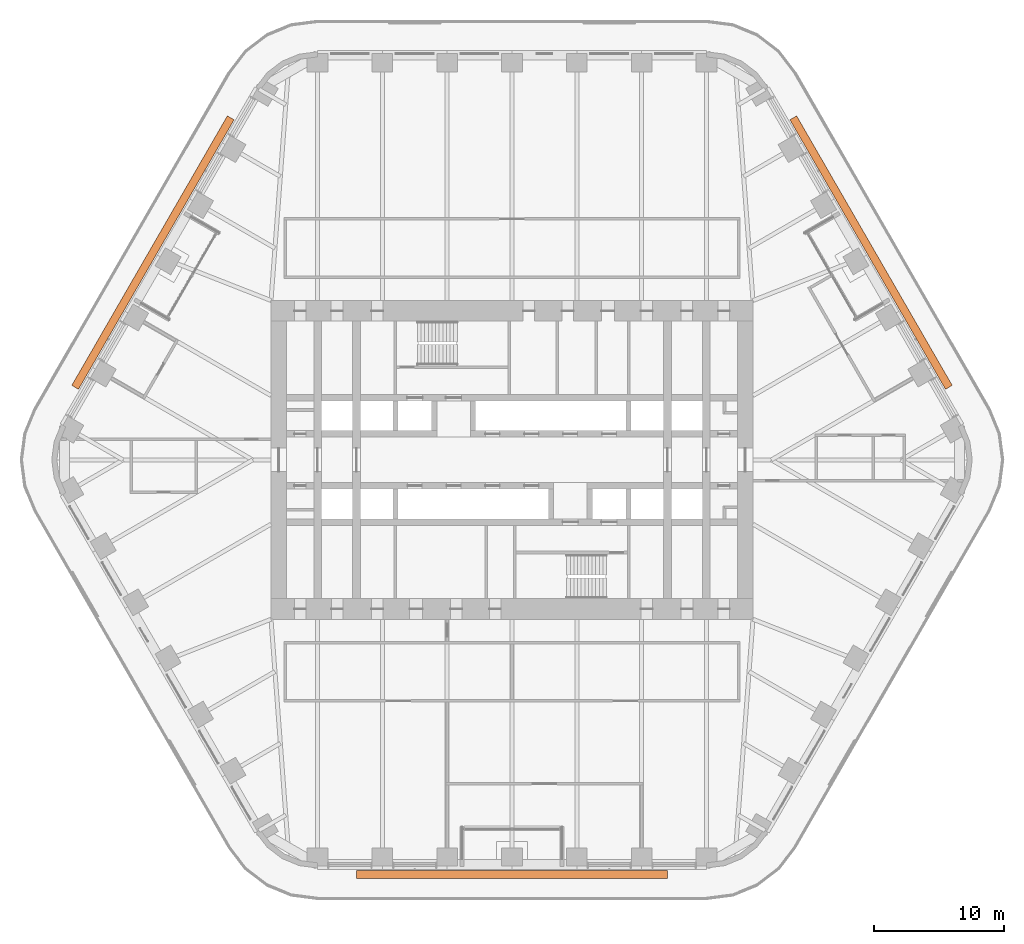
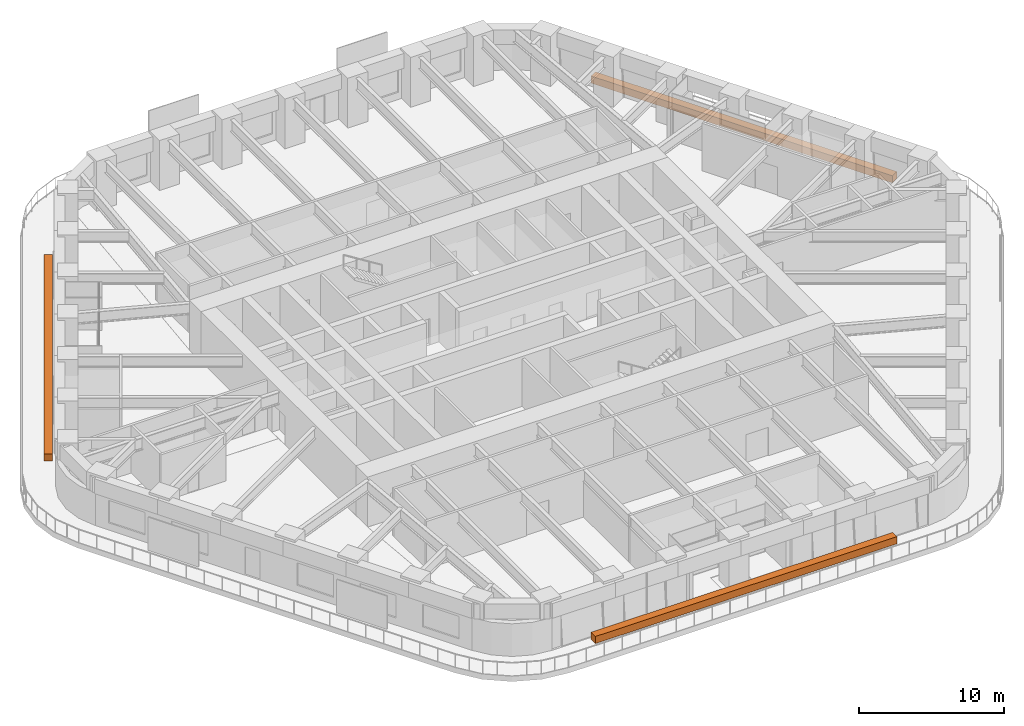
# One storey, part 24 of 24: 3 proxies.
"""IFC4 building model written with IfcOpenShell, lengths in metres."""

from ifc_helpers import new_model, si_unit, direction, frame, origin, origin_2d, place, context, subcontext, project, spatial, rectangle, extrude, material, element, save


model = new_model("IFC4")

# Units and contexts
model_context = context("Model", 3, precision=1e-05, world=origin(), true_north=direction((0.0, 1.0)))
body_context = subcontext(model_context, "Body", "Model", "MODEL_VIEW")
ifc_project = project(units=[si_unit("LENGTHUNIT", "METRE"), si_unit("AREAUNIT", "SQUARE_METRE"), si_unit("VOLUMEUNIT", "CUBIC_METRE"), si_unit("PLANEANGLEUNIT", "RADIAN"), si_unit("MASSUNIT", "GRAM", prefix="KILO")], contexts=[model_context])

# Site, building, storey
site_placement = place(None, origin())
site = spatial("IfcSite", under=ifc_project, at=site_placement, CompositionType="ELEMENT")
building_placement = place(site_placement, origin())
building = spatial("IfcBuilding", under=site, at=building_placement, Name="Tarfa Lantern Tower", CompositionType="ELEMENT")
storey_placement = place(building_placement, frame((0.0, 0.0, 178.300048828125)))
storey = spatial("IfcBuildingStorey", under=building, at=storey_placement, Name="L40", CompositionType="ELEMENT", Elevation=178.300048828125)

# Proxies
ifc_material = material(Name="Planting bed")
for number, where, z_axis, x_axis, name in (
    (1, (27.712890625, 16.0, 0.0), (0.0, 0.0, 1.0), (-0.5, 0.866025403784, 0.0), "Balcony planter"),
    (2, (-27.712890625, 16.0, 0.0), (0.0, 0.0, 1.0), (-0.5, -0.866025403784, 0.0), "Balcony planter"),
    (3, (0.0, -32.0, 0.0), (0.0, 0.0, 1.0), (1.0, 0.0, 0.0), "Balcony planter"),
):
    element("IfcBuildingElementProxy", number, at=place(storey_placement, frame(where, z_axis=z_axis, x_axis=x_axis)), inside=storey, material=ifc_material, Name=name, ObjectType="PLANTER", PredefinedType="USERDEFINED", context=body_context, shape_type="SweptSolid", body=[
        extrude(rectangle(XDim=24.017822265625, YDim=0.60009765625, at=origin_2d()), origin(), (0.0, 0.0, 1.0), 0.60009765625),
    ])

save(model, "model.ifc")
